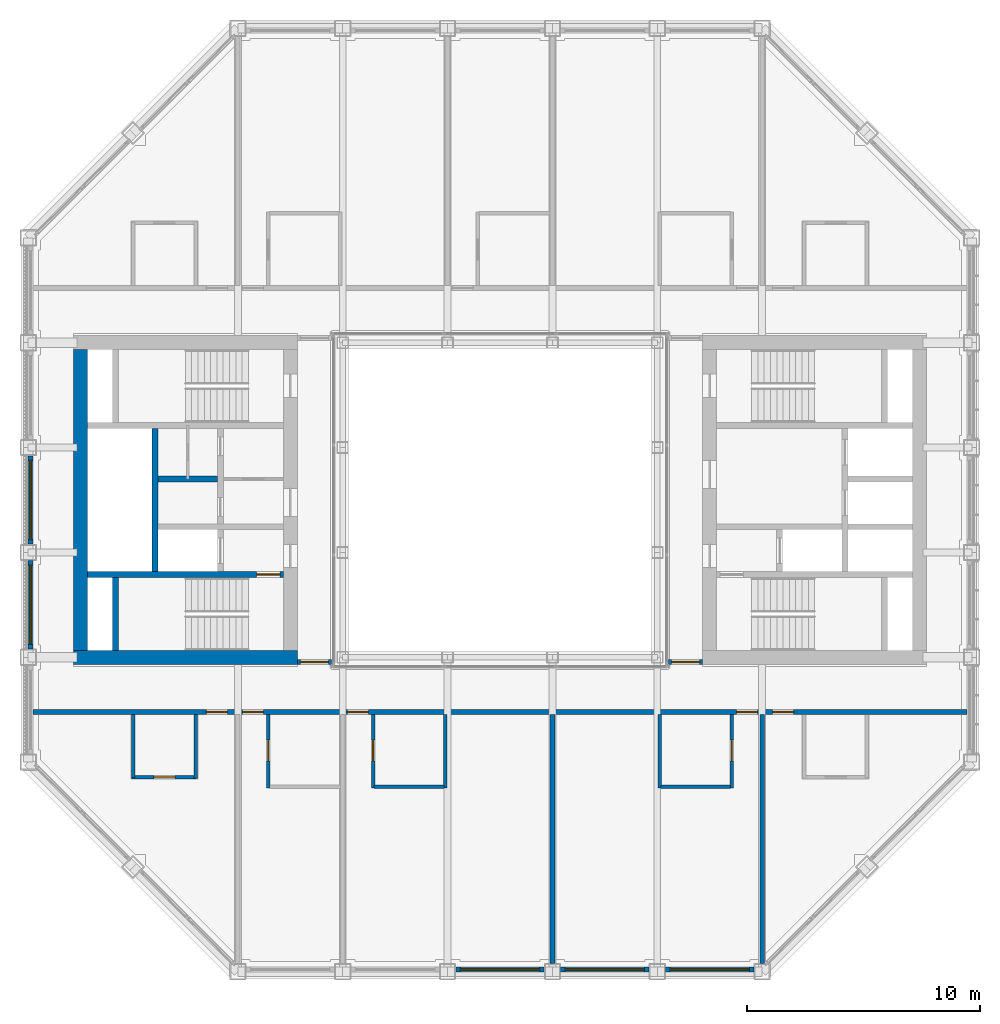
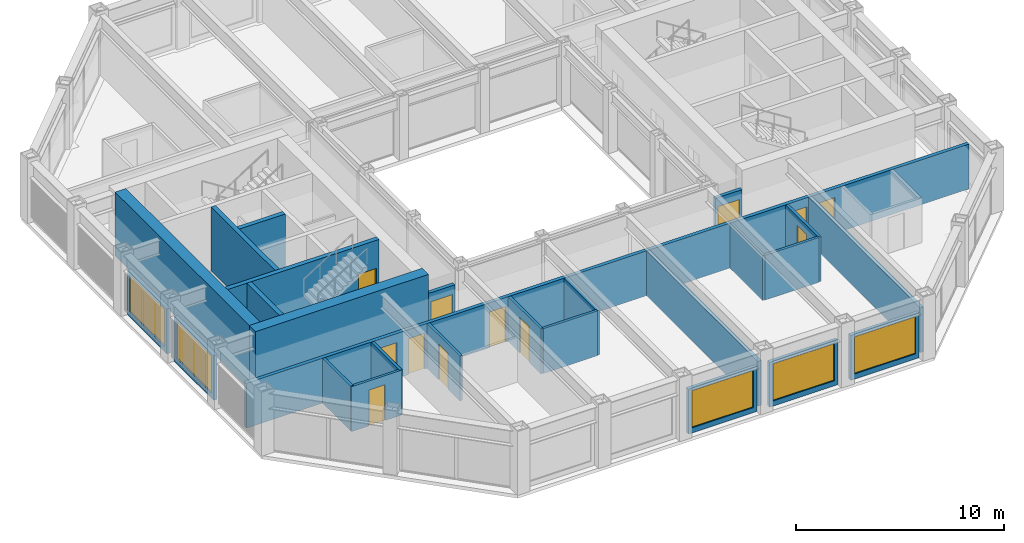
# One storey, part 9 of 16: 26 walls, 12 doors, 5 windows, 17 openings.
"""IFC4 building model written with IfcOpenShell, lengths in metres."""

from ifc_helpers import new_model, si_unit, direction, frame, frame_2d, origin, place, context, subcontext, project, spatial, rectangle, extrude, material, layer, layer_set, type_object, element, fill, save


model = new_model("IFC4")

# Units and contexts
model_context = context("Model", 3, precision=1e-05, world=origin(), true_north=direction((0.0, 1.0)))
body_context = subcontext(model_context, "Body", "Model", "MODEL_VIEW")
ifc_project = project(units=[si_unit("LENGTHUNIT", "METRE"), si_unit("AREAUNIT", "SQUARE_METRE"), si_unit("VOLUMEUNIT", "CUBIC_METRE"), si_unit("PLANEANGLEUNIT", "RADIAN"), si_unit("MASSUNIT", "GRAM", prefix="KILO")], contexts=[model_context])

# Site, building, storey
site_placement = place(None, origin())
site = spatial("IfcSite", under=ifc_project, at=site_placement, CompositionType="ELEMENT")
building_placement = place(site_placement, origin())
building = spatial("IfcBuilding", under=site, at=building_placement, Name="Msasa Ring Tower", CompositionType="ELEMENT")
storey_placement = place(building_placement, frame((0.0, 0.0, 212.050048828125)))
storey = spatial("IfcBuildingStorey", under=building, at=storey_placement, Name="L55", CompositionType="ELEMENT", Elevation=212.050048828125)

# Walls
ifc_material_1 = material(Name="Concrete C60/75", Category="concrete")
ifc_layer_1 = layer(ifc_material_1, 0.60009765625)
ifc_layer_set_1 = layer_set([ifc_layer_1], Name="CW3 CORE WALL 600")
wall_type_1 = type_object("IfcWallType", Name="CW3 CORE WALL 600", PredefinedType="SHEAR", material=ifc_layer_set_1)
wall_1_placement = place(storey_placement, frame((-8.699951171875, -6.75, 0.0), z_axis=(0.0, 0.0, 1.0), x_axis=(-1.0, 0.0, 0.0)))
element("IfcWall", 1, at=wall_1_placement, inside=storey, type_object=wall_type_1, Name="W core wall S L55", PredefinedType="SHEAR", context=body_context, shape_type="SweptSolid", body=[
    extrude(rectangle(XDim=9.60009765625, YDim=0.60009765625, at=frame_2d((4.800048828125, 0.0))), origin(), (0.0, 0.0, 1.0), 3.75),
])
wall_2_placement = place(storey_placement, frame((-18.0, -6.449951171875, 0.0), z_axis=(0.0, 0.0, 1.0), x_axis=(0.0, 1.0, 0.0)))
element("IfcWall", 2, at=wall_2_placement, inside=storey, type_object=wall_type_1, Name="W core wall E L55", PredefinedType="SHEAR", context=body_context, shape_type="SweptSolid", body=[
    extrude(rectangle(XDim=12.89990234375, YDim=0.60009765625, at=frame_2d((6.449951171875, 0.0))), origin(), (0.0, 0.0, 1.0), 3.75),
])

# Wall, opening, door
ifc_material_2 = material(Name="Concrete C60/75", Category="concrete")
ifc_layer_2 = layer(ifc_material_2, 0.25)
ifc_layer_set_2 = layer_set([ifc_layer_2], Name="CW4 CORE INNER WALL 250")
wall_type_2 = type_object("IfcWallType", Name="CW4 CORE INNER WALL 250", PredefinedType="SHEAR", material=ifc_layer_set_2)
wall_3_placement = place(storey_placement, frame((-9.300048828125, -3.199951171875, 0.0), z_axis=(0.0, 0.0, 1.0), x_axis=(-1.0, 0.0, 0.0)))
wall_3 = element("IfcWall", 3, at=wall_3_placement, inside=storey, type_object=wall_type_2, Name="W core wall STAIRA L55", PredefinedType="SHEAR", context=body_context, shape_type="SweptSolid", body=[
    extrude(rectangle(XDim=8.39990234375, YDim=0.25, at=frame_2d((4.199951171875, 0.0))), origin(), (0.0, 0.0, 1.0), 3.75),
])
opening_1_placement = place(wall_3_placement, frame((0.14990234375, 0.0, 0.0)))
opening_1 = element("IfcOpeningElement", 4, at=opening_1_placement, cuts=wall_3, Name="Opening SB-023", PredefinedType="OPENING", context=body_context, shape_type="SweptSolid", body=[
    extrude(rectangle(XDim=1.0, YDim=2.10009765625, at=frame_2d((0.5, 1.050048828125))), frame((0.0, 0.135009765625, 0.0), z_axis=(0.0, -1.0, 0.0), x_axis=(1.0, 0.0, 0.0)), (0.0, 0.0, 1.0), 0.27001953125),
])
ifc_material_3 = material(Name="Timber door leaf in a steel frame", Category="steel")
door_type_1 = type_object("IfcDoorType", Name="D6 STAIR DOOR 1000x2100", OperationType="SINGLE_SWING_LEFT", PredefinedType="DOOR", material=ifc_material_3)
door_1_placement = place(opening_1_placement, origin())
door_1 = element("IfcDoor", 5, at=door_1_placement, inside=storey, type_object=door_type_1, Name="Door L55-WSTA", OperationType="SINGLE_SWING_LEFT", OverallHeight=2.10009765625, OverallWidth=1.0, PredefinedType="DOOR", context=body_context, shape_type="SweptSolid", body=[
    extrude(rectangle(XDim=1.0, YDim=2.10009765625, at=frame_2d((0.5, 1.050048828125))), frame((0.0, 0.02490234375, 0.0), z_axis=(0.0, -1.0, 0.0), x_axis=(1.0, 0.0, 0.0)), (0.0, 0.0, 1.0), 0.050048828125),
])
fill(opening_1, door_1)

# Walls
wall_4_placement = place(storey_placement, frame((-16.5, -6.449951171875, 0.0), z_axis=(0.0, 0.0, 1.0), x_axis=(0.0, 1.0, 0.0)))
element("IfcWall", 6, at=wall_4_placement, inside=storey, type_object=wall_type_2, Name="W core wall RISERA L55", PredefinedType="SHEAR", context=body_context, shape_type="SweptSolid", body=[
    extrude(rectangle(XDim=3.125, YDim=0.25, at=frame_2d((1.5625, 0.0))), origin(), (0.0, 0.0, 1.0), 3.75),
])
wall_5_placement = place(storey_placement, frame((-14.800048828125, -3.074951171875, 0.0), z_axis=(0.0, 0.0, 1.0), x_axis=(0.0, 1.0, 0.0)))
element("IfcWall", 7, at=wall_5_placement, inside=storey, type_object=wall_type_2, Name="W core wall SHAFT L55", PredefinedType="SHEAR", context=body_context, shape_type="SweptSolid", body=[
    extrude(rectangle(XDim=6.14990234375, YDim=0.25, at=frame_2d((3.074951171875, 0.0))), origin(), (0.0, 0.0, 1.0), 3.75),
])
wall_6_placement = place(storey_placement, frame((-12.125, 0.89990234375, 0.0), z_axis=(0.0, 0.0, 1.0), x_axis=(-1.0, 0.0, 0.0)))
element("IfcWall", 8, at=wall_6_placement, inside=storey, type_object=wall_type_2, Name="W core wall LIFT1 L55", PredefinedType="SHEAR", context=body_context, shape_type="SweptSolid", body=[
    extrude(rectangle(XDim=2.550048828125, YDim=0.25, at=frame_2d((1.27490234375, 0.0))), origin(), (0.0, 0.0, 1.0), 3.75),
])

# Wall, opening, window
ifc_material_4 = material(Name="Terracotta rainscreen on blockwork", Category="masonry")
ifc_layer_3 = layer(ifc_material_4, 0.199951171875)
ifc_layer_set_3 = layer_set([ifc_layer_3], Name="FW1 TERRACOTTA-LINED INFILL BAY WALL 200")
wall_type_3 = type_object("IfcWallType", Name="FW1 TERRACOTTA-LINED INFILL BAY WALL 200", PredefinedType="SOLIDWALL", material=ifc_layer_set_3)
wall_7_placement = place(storey_placement, frame((-1.89501953125, -20.14990234375, 0.0), z_axis=(0.0, 0.0, 1.0), x_axis=(1.0, 0.0, 0.0)))
wall_7 = element("IfcWall", 9, at=wall_7_placement, inside=storey, type_object=wall_type_3, Name="Infill bay wall S L55 02", PredefinedType="SOLIDWALL", context=body_context, shape_type="SweptSolid", body=[
    extrude(rectangle(XDim=3.7900390625, YDim=0.199951171875, at=frame_2d((1.89501953125, 0.0))), origin(), (0.0, 0.0, 1.0), 2.62890625),
])
opening_2_placement = place(wall_7_placement, frame((0.195068359375, 0.0, 0.300048828125)))
opening_2 = element("IfcOpeningElement", 10, at=opening_2_placement, cuts=wall_7, Name="Opening WN3", PredefinedType="OPENING", context=body_context, shape_type="SweptSolid", body=[
    extrude(rectangle(XDim=3.39990234375, YDim=2.178955078125, at=frame_2d((1.699951171875, 1.08935546875))), frame((0.0, 0.10986328125, 0.0), z_axis=(0.0, -1.0, 0.0), x_axis=(1.0, 0.0, 0.0)), (0.0, 0.0, 1.0), 0.219970703125),
])
ifc_material_5 = material(Name="Aluminium frame with clear glass", Category="aluminium")
window_type = type_object("IfcWindowType", Name="WN3 SUITE WINDOW 3400x2179", PartitioningType="SINGLE_PANEL", PredefinedType="WINDOW", material=ifc_material_5)
window_1_placement = place(opening_2_placement, origin())
window_1 = element("IfcWindow", 11, at=window_1_placement, inside=storey, type_object=window_type, Name="Window S L55 02", OverallHeight=2.178955078125, OverallWidth=3.39990234375, PartitioningType="SINGLE_PANEL", PredefinedType="WINDOW", context=body_context, shape_type="SweptSolid", body=[
    extrude(rectangle(XDim=3.39990234375, YDim=2.178955078125, at=frame_2d((1.699951171875, 1.08935546875))), frame((0.0, 0.030029296875, 0.0), z_axis=(0.0, -1.0, 0.0), x_axis=(1.0, 0.0, 0.0)), (0.0, 0.0, 1.0), 0.06005859375),
])
fill(opening_2, window_1)

wall_8_placement = place(storey_placement, frame((2.60498046875, -20.14990234375, 0.0), z_axis=(0.0, 0.0, 1.0), x_axis=(1.0, 0.0, 0.0)))
wall_8 = element("IfcWall", 12, at=wall_8_placement, inside=storey, type_object=wall_type_3, Name="Infill bay wall S L55 03", PredefinedType="SOLIDWALL", context=body_context, shape_type="SweptSolid", body=[
    extrude(rectangle(XDim=3.7900390625, YDim=0.199951171875, at=frame_2d((1.89501953125, 0.0))), origin(), (0.0, 0.0, 1.0), 2.62890625),
])
opening_3_placement = place(wall_8_placement, frame((0.195068359375, 0.0, 0.300048828125)))
opening_3 = element("IfcOpeningElement", 13, at=opening_3_placement, cuts=wall_8, Name="Opening WN3", PredefinedType="OPENING", context=body_context, shape_type="SweptSolid", body=[
    extrude(rectangle(XDim=3.39990234375, YDim=2.178955078125, at=frame_2d((1.699951171875, 1.08935546875))), frame((0.0, 0.10986328125, 0.0), z_axis=(0.0, -1.0, 0.0), x_axis=(1.0, 0.0, 0.0)), (0.0, 0.0, 1.0), 0.219970703125),
])
window_2_placement = place(opening_3_placement, origin())
window_2 = element("IfcWindow", 14, at=window_2_placement, inside=storey, type_object=window_type, Name="Window S L55 03", OverallHeight=2.178955078125, OverallWidth=3.39990234375, PartitioningType="SINGLE_PANEL", PredefinedType="WINDOW", context=body_context, shape_type="SweptSolid", body=[
    extrude(rectangle(XDim=3.39990234375, YDim=2.178955078125, at=frame_2d((1.699951171875, 1.08935546875))), frame((0.0, 0.030029296875, 0.0), z_axis=(0.0, -1.0, 0.0), x_axis=(1.0, 0.0, 0.0)), (0.0, 0.0, 1.0), 0.06005859375),
])
fill(opening_3, window_2)

wall_9_placement = place(storey_placement, frame((7.10498046875, -20.14990234375, 0.0), z_axis=(0.0, 0.0, 1.0), x_axis=(1.0, 0.0, 0.0)))
wall_9 = element("IfcWall", 15, at=wall_9_placement, inside=storey, type_object=wall_type_3, Name="Infill bay wall S L55 04", PredefinedType="SOLIDWALL", context=body_context, shape_type="SweptSolid", body=[
    extrude(rectangle(XDim=3.7900390625, YDim=0.199951171875, at=frame_2d((1.89501953125, 0.0))), origin(), (0.0, 0.0, 1.0), 2.62890625),
])
opening_4_placement = place(wall_9_placement, frame((0.195068359375, 0.0, 0.300048828125)))
opening_4 = element("IfcOpeningElement", 16, at=opening_4_placement, cuts=wall_9, Name="Opening WN3", PredefinedType="OPENING", context=body_context, shape_type="SweptSolid", body=[
    extrude(rectangle(XDim=3.39990234375, YDim=2.178955078125, at=frame_2d((1.699951171875, 1.08935546875))), frame((0.0, 0.10986328125, 0.0), z_axis=(0.0, -1.0, 0.0), x_axis=(1.0, 0.0, 0.0)), (0.0, 0.0, 1.0), 0.219970703125),
])
window_3_placement = place(opening_4_placement, origin())
window_3 = element("IfcWindow", 17, at=window_3_placement, inside=storey, type_object=window_type, Name="Window S L55 04", OverallHeight=2.178955078125, OverallWidth=3.39990234375, PartitioningType="SINGLE_PANEL", PredefinedType="WINDOW", context=body_context, shape_type="SweptSolid", body=[
    extrude(rectangle(XDim=3.39990234375, YDim=2.178955078125, at=frame_2d((1.699951171875, 1.08935546875))), frame((0.0, 0.030029296875, 0.0), z_axis=(0.0, -1.0, 0.0), x_axis=(1.0, 0.0, 0.0)), (0.0, 0.0, 1.0), 0.06005859375),
])
fill(opening_4, window_3)

wall_10_placement = place(storey_placement, frame((-20.14990234375, -6.39501953125, 0.0), z_axis=(0.0, 0.0, 1.0), x_axis=(0.0, 1.0, 0.0)))
wall_10 = element("IfcWall", 18, at=wall_10_placement, inside=storey, type_object=wall_type_3, Name="Infill bay wall W L55 22", PredefinedType="SOLIDWALL", context=body_context, shape_type="SweptSolid", body=[
    extrude(rectangle(XDim=3.7900390625, YDim=0.199951171875, at=frame_2d((1.89501953125, 0.0))), origin(), (0.0, 0.0, 1.0), 2.62890625),
])
opening_5_placement = place(wall_10_placement, frame((0.195068359375, 0.0, 0.300048828125)))
opening_5 = element("IfcOpeningElement", 19, at=opening_5_placement, cuts=wall_10, Name="Opening WN3", PredefinedType="OPENING", context=body_context, shape_type="SweptSolid", body=[
    extrude(rectangle(XDim=3.39990234375, YDim=2.178955078125, at=frame_2d((1.699951171875, 1.08935546875))), frame((0.0, 0.10986328125, 0.0), z_axis=(0.0, -1.0, 0.0), x_axis=(1.0, 0.0, 0.0)), (0.0, 0.0, 1.0), 0.219970703125),
])
window_4_placement = place(opening_5_placement, origin())
window_4 = element("IfcWindow", 20, at=window_4_placement, inside=storey, type_object=window_type, Name="Window W L55 22", OverallHeight=2.178955078125, OverallWidth=3.39990234375, PartitioningType="SINGLE_PANEL", PredefinedType="WINDOW", context=body_context, shape_type="SweptSolid", body=[
    extrude(rectangle(XDim=3.39990234375, YDim=2.178955078125, at=frame_2d((1.699951171875, 1.08935546875))), frame((0.0, 0.030029296875, 0.0), z_axis=(0.0, -1.0, 0.0), x_axis=(1.0, 0.0, 0.0)), (0.0, 0.0, 1.0), 0.06005859375),
])
fill(opening_5, window_4)

wall_11_placement = place(storey_placement, frame((-20.14990234375, -1.89501953125, 0.0), z_axis=(0.0, 0.0, 1.0), x_axis=(0.0, 1.0, 0.0)))
wall_11 = element("IfcWall", 21, at=wall_11_placement, inside=storey, type_object=wall_type_3, Name="Infill bay wall W L55 23", PredefinedType="SOLIDWALL", context=body_context, shape_type="SweptSolid", body=[
    extrude(rectangle(XDim=3.7900390625, YDim=0.199951171875, at=frame_2d((1.89501953125, 0.0))), origin(), (0.0, 0.0, 1.0), 2.62890625),
])
opening_6_placement = place(wall_11_placement, frame((0.195068359375, 0.0, 0.300048828125)))
opening_6 = element("IfcOpeningElement", 22, at=opening_6_placement, cuts=wall_11, Name="Opening WN3", PredefinedType="OPENING", context=body_context, shape_type="SweptSolid", body=[
    extrude(rectangle(XDim=3.39990234375, YDim=2.178955078125, at=frame_2d((1.699951171875, 1.08935546875))), frame((0.0, 0.10986328125, 0.0), z_axis=(0.0, -1.0, 0.0), x_axis=(1.0, 0.0, 0.0)), (0.0, 0.0, 1.0), 0.219970703125),
])
window_5_placement = place(opening_6_placement, origin())
window_5 = element("IfcWindow", 23, at=window_5_placement, inside=storey, type_object=window_type, Name="Window W L55 23", OverallHeight=2.178955078125, OverallWidth=3.39990234375, PartitioningType="SINGLE_PANEL", PredefinedType="WINDOW", context=body_context, shape_type="SweptSolid", body=[
    extrude(rectangle(XDim=3.39990234375, YDim=2.178955078125, at=frame_2d((1.699951171875, 1.08935546875))), frame((0.0, 0.030029296875, 0.0), z_axis=(0.0, -1.0, 0.0), x_axis=(1.0, 0.0, 0.0)), (0.0, 0.0, 1.0), 0.06005859375),
])
fill(opening_6, window_5)

# Wall, opening, door
ifc_material_6 = material(Name="Concrete blockwork", Category="masonry")
ifc_layer_4 = layer(ifc_material_6, 0.199951171875)
ifc_layer_set_4 = layer_set([ifc_layer_4], Name="PT1 CORRIDOR WALL 200")
wall_type_4 = type_object("IfcWallType", Name="PT1 CORRIDOR WALL 200", PredefinedType="PARTITIONING", material=ifc_layer_set_4)
wall_12_placement = place(storey_placement, frame((7.22998046875, -6.949951171875, 0.0), z_axis=(0.0, 0.0, 1.0), x_axis=(1.0, 0.0, 0.0)))
wall_12 = element("IfcWall", 24, at=wall_12_placement, inside=storey, type_object=wall_type_4, Name="Corridor wall L55-SDES", PredefinedType="PARTITIONING", context=body_context, shape_type="SweptSolid", body=[
    extrude(rectangle(XDim=1.469970703125, YDim=0.199951171875, at=frame_2d((0.73486328125, 0.0))), origin(), (0.0, 0.0, 1.0), 2.62890625),
])
opening_7_placement = place(wall_12_placement, frame((0.135009765625, 0.0, 0.0)))
opening_7 = element("IfcOpeningElement", 25, at=opening_7_placement, cuts=wall_12, Name="Opening SB-026", PredefinedType="OPENING", context=body_context, shape_type="SweptSolid", body=[
    extrude(rectangle(XDim=1.199951171875, YDim=2.10009765625, at=frame_2d((0.60009765625, 1.050048828125))), frame((0.0, 0.10986328125, 0.0), z_axis=(0.0, -1.0, 0.0), x_axis=(1.0, 0.0, 0.0)), (0.0, 0.0, 1.0), 0.219970703125),
])
ifc_material_7 = material(Name="Timber door leaf in a steel frame", Category="steel")
door_type_2 = type_object("IfcDoorType", Name="D25 CORRIDOR PAIR OF SMOKE DOORS 1200x2100", OperationType="DOUBLE_DOOR_DOUBLE_SWING", PredefinedType="DOOR", material=ifc_material_7)
door_2_placement = place(opening_7_placement, origin())
door_2 = element("IfcDoor", 26, at=door_2_placement, inside=storey, type_object=door_type_2, Name="Door L55-SDES", OperationType="DOUBLE_DOOR_DOUBLE_SWING", OverallHeight=2.10009765625, OverallWidth=1.199951171875, PredefinedType="DOOR", context=body_context, shape_type="SweptSolid", body=[
    extrude(rectangle(XDim=1.199951171875, YDim=2.10009765625, at=frame_2d((0.60009765625, 1.050048828125))), frame((0.0, 0.02490234375, 0.0), z_axis=(0.0, -1.0, 0.0), x_axis=(1.0, 0.0, 0.0)), (0.0, 0.0, 1.0), 0.050048828125),
])
fill(opening_7, door_2)

wall_13_placement = place(storey_placement, frame((-8.699951171875, -6.949951171875, 0.0), z_axis=(0.0, 0.0, 1.0), x_axis=(1.0, 0.0, 0.0)))
wall_13 = element("IfcWall", 27, at=wall_13_placement, inside=storey, type_object=wall_type_4, Name="Corridor wall L55-SDWS", PredefinedType="PARTITIONING", context=body_context, shape_type="SweptSolid", body=[
    extrude(rectangle(XDim=1.469970703125, YDim=0.199951171875, at=frame_2d((0.73486328125, 0.0))), origin(), (0.0, 0.0, 1.0), 2.62890625),
])
opening_8_placement = place(wall_13_placement, frame((0.135009765625, 0.0, 0.0)))
opening_8 = element("IfcOpeningElement", 28, at=opening_8_placement, cuts=wall_13, Name="Opening SB-025", PredefinedType="OPENING", context=body_context, shape_type="SweptSolid", body=[
    extrude(rectangle(XDim=1.199951171875, YDim=2.10009765625, at=frame_2d((0.60009765625, 1.050048828125))), frame((0.0, 0.10986328125, 0.0), z_axis=(0.0, -1.0, 0.0), x_axis=(1.0, 0.0, 0.0)), (0.0, 0.0, 1.0), 0.219970703125),
])
door_3_placement = place(opening_8_placement, origin())
door_3 = element("IfcDoor", 29, at=door_3_placement, inside=storey, type_object=door_type_2, Name="Door L55-SDWS", OperationType="DOUBLE_DOOR_DOUBLE_SWING", OverallHeight=2.10009765625, OverallWidth=1.199951171875, PredefinedType="DOOR", context=body_context, shape_type="SweptSolid", body=[
    extrude(rectangle(XDim=1.199951171875, YDim=2.10009765625, at=frame_2d((0.60009765625, 1.050048828125))), frame((0.0, 0.02490234375, 0.0), z_axis=(0.0, -1.0, 0.0), x_axis=(1.0, 0.0, 0.0)), (0.0, 0.0, 1.0), 0.050048828125),
])
fill(opening_8, door_3)

# Wall, openings, doors
wall_14_placement = place(storey_placement, frame((-20.050048828125, -9.10009765625, 0.0), z_axis=(0.0, 0.0, 1.0), x_axis=(1.0, 0.0, 0.0)))
wall_14 = element("IfcWall", 30, at=wall_14_placement, inside=storey, type_object=wall_type_4, Name="Corridor wall L55-CORRS0", PredefinedType="PARTITIONING", context=body_context, shape_type="SweptSolid", body=[
    extrude(rectangle(XDim=40.10009765625, YDim=0.199951171875, at=frame_2d((20.050048828125, 0.0))), origin(), (0.0, 0.0, 1.0), 2.62890625),
])
opening_9_placement = place(wall_14_placement, frame((9.0, 0.0, 0.0)))
opening_9 = element("IfcOpeningElement", 31, at=opening_9_placement, cuts=wall_14, Name="Opening SB-028", PredefinedType="OPENING", context=body_context, shape_type="SweptSolid", body=[
    extrude(rectangle(XDim=0.89990234375, YDim=2.10009765625, at=frame_2d((0.449951171875, 1.050048828125))), frame((0.0, 0.10986328125, 0.0), z_axis=(0.0, -1.0, 0.0), x_axis=(1.0, 0.0, 0.0)), (0.0, 0.0, 1.0), 0.219970703125),
])
opening_10_placement = place(wall_14_placement, frame((13.5, 0.0, 0.0)))
opening_10 = element("IfcOpeningElement", 32, at=opening_10_placement, cuts=wall_14, Name="Opening SB-029", PredefinedType="OPENING", context=body_context, shape_type="SweptSolid", body=[
    extrude(rectangle(XDim=0.89990234375, YDim=2.10009765625, at=frame_2d((0.449951171875, 1.050048828125))), frame((0.0, 0.10986328125, 0.0), z_axis=(0.0, -1.0, 0.0), x_axis=(1.0, 0.0, 0.0)), (0.0, 0.0, 1.0), 0.219970703125),
])
opening_11_placement = place(wall_14_placement, frame((30.199951171875, 0.0, 0.0)))
opening_11 = element("IfcOpeningElement", 33, at=opening_11_placement, cuts=wall_14, Name="Opening SB-030", PredefinedType="OPENING", context=body_context, shape_type="SweptSolid", body=[
    extrude(rectangle(XDim=0.89990234375, YDim=2.10009765625, at=frame_2d((0.449951171875, 1.050048828125))), frame((0.0, 0.10986328125, 0.0), z_axis=(0.0, -1.0, 0.0), x_axis=(1.0, 0.0, 0.0)), (0.0, 0.0, 1.0), 0.219970703125),
])
opening_12_placement = place(wall_14_placement, frame((31.75, 0.0, 0.0)))
opening_12 = element("IfcOpeningElement", 34, at=opening_12_placement, cuts=wall_14, Name="Opening SB-031", PredefinedType="OPENING", context=body_context, shape_type="SweptSolid", body=[
    extrude(rectangle(XDim=0.89990234375, YDim=2.10009765625, at=frame_2d((0.449951171875, 1.050048828125))), frame((0.0, 0.10986328125, 0.0), z_axis=(0.0, -1.0, 0.0), x_axis=(1.0, 0.0, 0.0)), (0.0, 0.0, 1.0), 0.219970703125),
])
opening_13_placement = place(wall_14_placement, frame((7.449951171875, 0.0, 0.0)))
opening_13 = element("IfcOpeningElement", 35, at=opening_13_placement, cuts=wall_14, Name="Opening SB-027", PredefinedType="OPENING", context=body_context, shape_type="SweptSolid", body=[
    extrude(rectangle(XDim=0.89990234375, YDim=2.10009765625, at=frame_2d((0.449951171875, 1.050048828125))), frame((0.0, 0.10986328125, 0.0), z_axis=(0.0, -1.0, 0.0), x_axis=(1.0, 0.0, 0.0)), (0.0, 0.0, 1.0), 0.219970703125),
])
ifc_material_8 = material(Name="Timber door leaf in a steel frame", Category="steel")
door_type_3 = type_object("IfcDoorType", Name="D1 SINGLE DOOR TO CORRIDOR 900x2100", OperationType="SINGLE_SWING_LEFT", PredefinedType="DOOR", material=ifc_material_8)
door_4_placement = place(opening_9_placement, origin())
door_4 = element("IfcDoor", 36, at=door_4_placement, inside=storey, type_object=door_type_3, Name="Door L55-JS00", OperationType="SINGLE_SWING_LEFT", OverallHeight=2.10009765625, OverallWidth=0.89990234375, PredefinedType="DOOR", context=body_context, shape_type="SweptSolid", body=[
    extrude(rectangle(XDim=0.89990234375, YDim=2.10009765625, at=frame_2d((0.449951171875, 1.050048828125))), frame((0.0, 0.02490234375, 0.0), z_axis=(0.0, -1.0, 0.0), x_axis=(1.0, 0.0, 0.0)), (0.0, 0.0, 1.0), 0.050048828125),
])
fill(opening_9, door_4)
door_5_placement = place(opening_10_placement, origin())
door_5 = element("IfcDoor", 37, at=door_5_placement, inside=storey, type_object=door_type_3, Name="Door L55-JS01", OperationType="SINGLE_SWING_LEFT", OverallHeight=2.10009765625, OverallWidth=0.89990234375, PredefinedType="DOOR", context=body_context, shape_type="SweptSolid", body=[
    extrude(rectangle(XDim=0.89990234375, YDim=2.10009765625, at=frame_2d((0.449951171875, 1.050048828125))), frame((0.0, 0.02490234375, 0.0), z_axis=(0.0, -1.0, 0.0), x_axis=(1.0, 0.0, 0.0)), (0.0, 0.0, 1.0), 0.050048828125),
])
fill(opening_10, door_5)
door_6_placement = place(opening_11_placement, origin())
door_6 = element("IfcDoor", 38, at=door_6_placement, inside=storey, type_object=door_type_3, Name="Door L55-JS02", OperationType="SINGLE_SWING_RIGHT", OverallHeight=2.10009765625, OverallWidth=0.89990234375, PredefinedType="DOOR", context=body_context, shape_type="SweptSolid", body=[
    extrude(rectangle(XDim=0.89990234375, YDim=2.10009765625, at=frame_2d((0.449951171875, 1.050048828125))), frame((0.0, 0.02490234375, 0.0), z_axis=(0.0, -1.0, 0.0), x_axis=(1.0, 0.0, 0.0)), (0.0, 0.0, 1.0), 0.050048828125),
])
fill(opening_11, door_6)
ifc_material_9 = material(Name="Timber door leaf in a steel frame", Category="steel")
door_type_4 = type_object("IfcDoorType", Name="D2 ENTRANCE DOOR 900x2100", OperationType="SINGLE_SWING_LEFT", PredefinedType="DOOR", material=ifc_material_9)
door_7_placement = place(opening_12_placement, origin())
door_7 = element("IfcDoor", 39, at=door_7_placement, inside=storey, type_object=door_type_4, Name="Door L55-CSSE", OperationType="SINGLE_SWING_RIGHT", OverallHeight=2.10009765625, OverallWidth=0.89990234375, PredefinedType="DOOR", context=body_context, shape_type="SweptSolid", body=[
    extrude(rectangle(XDim=0.89990234375, YDim=2.10009765625, at=frame_2d((0.449951171875, 1.050048828125))), frame((0.0, 0.02490234375, 0.0), z_axis=(0.0, -1.0, 0.0), x_axis=(1.0, 0.0, 0.0)), (0.0, 0.0, 1.0), 0.050048828125),
])
fill(opening_12, door_7)
door_8_placement = place(opening_13_placement, origin())
door_8 = element("IfcDoor", 40, at=door_8_placement, inside=storey, type_object=door_type_4, Name="Door L55-CSSW", OperationType="SINGLE_SWING_LEFT", OverallHeight=2.10009765625, OverallWidth=0.89990234375, PredefinedType="DOOR", context=body_context, shape_type="SweptSolid", body=[
    extrude(rectangle(XDim=0.89990234375, YDim=2.10009765625, at=frame_2d((0.449951171875, 1.050048828125))), frame((0.0, 0.02490234375, 0.0), z_axis=(0.0, -1.0, 0.0), x_axis=(1.0, 0.0, 0.0)), (0.0, 0.0, 1.0), 0.050048828125),
])
fill(opening_13, door_8)

# Walls
ifc_material_10 = material(Name="Dense concrete blockwork, plastered both faces", Category="masonry")
ifc_layer_5 = layer(ifc_material_10, 0.25)
ifc_layer_set_5 = layer_set([ifc_layer_5], Name="PT3 APARTMENT SEPARATING WALL 250")
wall_type_5 = type_object("IfcWallType", Name="PT3 APARTMENT SEPARATING WALL 250", PredefinedType="PARTITIONING", material=ifc_layer_set_5)
for number, where, z_axis, x_axis, name in (
    (41, (2.25, -19.89990234375, 0.0), (0.0, 0.0, 1.0), (0.0, 1.0, 0.0), "Party wall L55-PWS+2.25"),
    (42, (11.25, -19.89990234375, 0.0), (0.0, 0.0, 1.0), (0.0, 1.0, 0.0), "Party wall L55-PWS+11.25"),
):
    element("IfcWall", number, at=place(storey_placement, frame(where, z_axis=z_axis, x_axis=x_axis)), inside=storey, type_object=wall_type_5, Name=name, PredefinedType="PARTITIONING", context=body_context, shape_type="SweptSolid", body=[
        extrude(rectangle(XDim=10.699951171875, YDim=0.199951171875, at=frame_2d((5.35009765625, 0.0))), origin(), (0.0, 0.0, 1.0), 2.62890625),
    ])

# Wall, opening, door
ifc_material_11 = material(Name="Moisture-resistant board on steel studs with a concealed cistern and pipe void, tiled", Category="steel")
ifc_layer_6 = layer(ifc_material_11, 0.14990234375)
ifc_layer_set_6 = layer_set([ifc_layer_6], Name="PT4 BATHROOM WET WALL 150")
wall_type_6 = type_object("IfcWallType", Name="PT4 BATHROOM WET WALL 150", PredefinedType="PARTITIONING", material=ifc_layer_set_6)
wall_15_placement = place(storey_placement, frame((-9.949951171875, -12.35009765625, 0.0), z_axis=(0.0, 0.0, 1.0), x_axis=(0.0, 1.0, 0.0)))
wall_15 = element("IfcWall", 43, at=wall_15_placement, inside=storey, type_object=wall_type_6, Name="Partition L55-JS00BX", PredefinedType="PARTITIONING", context=body_context, shape_type="SweptSolid", body=[
    extrude(rectangle(XDim=3.150146484375, YDim=0.14990234375, at=frame_2d((1.5751953125, 0.0))), origin(), (0.0, 0.0, 1.0), 2.62890625),
])
opening_14_placement = place(wall_15_placement, frame((1.14990234375, 0.0, 0.0)))
opening_14 = element("IfcOpeningElement", 44, at=opening_14_placement, cuts=wall_15, Name="Opening SB-032", PredefinedType="OPENING", context=body_context, shape_type="SweptSolid", body=[
    extrude(rectangle(XDim=0.89990234375, YDim=2.10009765625, at=frame_2d((0.449951171875, 1.050048828125))), frame((0.0, 0.0849609375, 0.0), z_axis=(0.0, -1.0, 0.0), x_axis=(1.0, 0.0, 0.0)), (0.0, 0.0, 1.0), 0.169921875),
])
ifc_material_12 = material(Name="Timber door leaf in a steel frame", Category="steel")
door_type_5 = type_object("IfcDoorType", Name="D3 BATHROOM DOOR 900x2100", OperationType="SINGLE_SWING_LEFT", PredefinedType="DOOR", material=ifc_material_12)
door_9_placement = place(opening_14_placement, origin())
door_9 = element("IfcDoor", 45, at=door_9_placement, inside=storey, type_object=door_type_5, Name="Door L55-JS00B", OperationType="SINGLE_SWING_LEFT", OverallHeight=2.10009765625, OverallWidth=0.89990234375, PredefinedType="DOOR", context=body_context, shape_type="SweptSolid", body=[
    extrude(rectangle(XDim=0.89990234375, YDim=2.10009765625, at=frame_2d((0.449951171875, 1.050048828125))), frame((0.0, 0.02490234375, 0.0), z_axis=(0.0, -1.0, 0.0), x_axis=(1.0, 0.0, 0.0)), (0.0, 0.0, 1.0), 0.050048828125),
])
fill(opening_14, door_9)

wall_16_placement = place(storey_placement, frame((-5.449951171875, -12.35009765625, 0.0), z_axis=(0.0, 0.0, 1.0), x_axis=(0.0, 1.0, 0.0)))
wall_16 = element("IfcWall", 46, at=wall_16_placement, inside=storey, type_object=wall_type_6, Name="Partition L55-JS01BX", PredefinedType="PARTITIONING", context=body_context, shape_type="SweptSolid", body=[
    extrude(rectangle(XDim=3.150146484375, YDim=0.14990234375, at=frame_2d((1.5751953125, 0.0))), origin(), (0.0, 0.0, 1.0), 2.62890625),
])
opening_15_placement = place(wall_16_placement, frame((1.14990234375, 0.0, 0.0)))
opening_15 = element("IfcOpeningElement", 47, at=opening_15_placement, cuts=wall_16, Name="Opening SB-033", PredefinedType="OPENING", context=body_context, shape_type="SweptSolid", body=[
    extrude(rectangle(XDim=0.89990234375, YDim=2.10009765625, at=frame_2d((0.449951171875, 1.050048828125))), frame((0.0, 0.0849609375, 0.0), z_axis=(0.0, -1.0, 0.0), x_axis=(1.0, 0.0, 0.0)), (0.0, 0.0, 1.0), 0.169921875),
])
door_10_placement = place(opening_15_placement, origin())
door_10 = element("IfcDoor", 48, at=door_10_placement, inside=storey, type_object=door_type_5, Name="Door L55-JS01B", OperationType="SINGLE_SWING_LEFT", OverallHeight=2.10009765625, OverallWidth=0.89990234375, PredefinedType="DOOR", context=body_context, shape_type="SweptSolid", body=[
    extrude(rectangle(XDim=0.89990234375, YDim=2.10009765625, at=frame_2d((0.449951171875, 1.050048828125))), frame((0.0, 0.02490234375, 0.0), z_axis=(0.0, -1.0, 0.0), x_axis=(1.0, 0.0, 0.0)), (0.0, 0.0, 1.0), 0.050048828125),
])
fill(opening_15, door_10)

# Walls
wall_17_placement = place(storey_placement, frame((-2.35009765625, -12.35009765625, 0.0), z_axis=(0.0, 0.0, 1.0), x_axis=(0.0, 1.0, 0.0)))
element("IfcWall", 49, at=wall_17_placement, inside=storey, type_object=wall_type_6, Name="Partition L55-JS01BF", PredefinedType="PARTITIONING", context=body_context, shape_type="SweptSolid", body=[
    extrude(rectangle(XDim=3.150146484375, YDim=0.14990234375, at=frame_2d((1.5751953125, 0.0))), origin(), (0.0, 0.0, 1.0), 2.62890625),
])
wall_18_placement = place(storey_placement, frame((-5.39990234375, -12.300048828125, 0.0), z_axis=(0.0, 0.0, 1.0), x_axis=(1.0, 0.0, 0.0)))
element("IfcWall", 50, at=wall_18_placement, inside=storey, type_object=wall_type_6, Name="Partition L55-JS01BY", PredefinedType="PARTITIONING", context=body_context, shape_type="SweptSolid", body=[
    extrude(rectangle(XDim=3.0, YDim=0.14990234375, at=frame_2d((1.5, 0.0))), origin(), (0.0, 0.0, 1.0), 2.62890625),
])

# Wall, opening, door
wall_19_placement = place(storey_placement, frame((9.949951171875, -12.35009765625, 0.0), z_axis=(0.0, 0.0, 1.0), x_axis=(0.0, 1.0, 0.0)))
wall_19 = element("IfcWall", 51, at=wall_19_placement, inside=storey, type_object=wall_type_6, Name="Partition L55-JS02BX", PredefinedType="PARTITIONING", context=body_context, shape_type="SweptSolid", body=[
    extrude(rectangle(XDim=3.150146484375, YDim=0.14990234375, at=frame_2d((1.5751953125, 0.0))), origin(), (0.0, 0.0, 1.0), 2.62890625),
])
opening_16_placement = place(wall_19_placement, frame((1.14990234375, 0.0, 0.0)))
opening_16 = element("IfcOpeningElement", 52, at=opening_16_placement, cuts=wall_19, Name="Opening SB-034", PredefinedType="OPENING", context=body_context, shape_type="SweptSolid", body=[
    extrude(rectangle(XDim=0.89990234375, YDim=2.10009765625, at=frame_2d((0.449951171875, 1.050048828125))), frame((0.0, 0.0849609375, 0.0), z_axis=(0.0, -1.0, 0.0), x_axis=(1.0, 0.0, 0.0)), (0.0, 0.0, 1.0), 0.169921875),
])
door_11_placement = place(opening_16_placement, origin())
door_11 = element("IfcDoor", 53, at=door_11_placement, inside=storey, type_object=door_type_5, Name="Door L55-JS02B", OperationType="SINGLE_SWING_LEFT", OverallHeight=2.10009765625, OverallWidth=0.89990234375, PredefinedType="DOOR", context=body_context, shape_type="SweptSolid", body=[
    extrude(rectangle(XDim=0.89990234375, YDim=2.10009765625, at=frame_2d((0.449951171875, 1.050048828125))), frame((0.0, 0.02490234375, 0.0), z_axis=(0.0, -1.0, 0.0), x_axis=(1.0, 0.0, 0.0)), (0.0, 0.0, 1.0), 0.050048828125),
])
fill(opening_16, door_11)

# Walls
wall_20_placement = place(storey_placement, frame((6.85009765625, -12.35009765625, 0.0), z_axis=(0.0, 0.0, 1.0), x_axis=(0.0, 1.0, 0.0)))
element("IfcWall", 54, at=wall_20_placement, inside=storey, type_object=wall_type_6, Name="Partition L55-JS02BF", PredefinedType="PARTITIONING", context=body_context, shape_type="SweptSolid", body=[
    extrude(rectangle(XDim=3.150146484375, YDim=0.14990234375, at=frame_2d((1.5751953125, 0.0))), origin(), (0.0, 0.0, 1.0), 2.62890625),
])
wall_21_placement = place(storey_placement, frame((6.89990234375, -12.300048828125, 0.0), z_axis=(0.0, 0.0, 1.0), x_axis=(1.0, 0.0, 0.0)))
element("IfcWall", 55, at=wall_21_placement, inside=storey, type_object=wall_type_6, Name="Partition L55-JS02BY", PredefinedType="PARTITIONING", context=body_context, shape_type="SweptSolid", body=[
    extrude(rectangle(XDim=3.0, YDim=0.14990234375, at=frame_2d((1.5, 0.0))), origin(), (0.0, 0.0, 1.0), 2.62890625),
])
wall_22_placement = place(storey_placement, frame((-13.050048828125, -11.949951171875, 0.0), z_axis=(0.0, 0.0, 1.0), x_axis=(0.0, 1.0, 0.0)))
element("IfcWall", 56, at=wall_22_placement, inside=storey, type_object=wall_type_6, Name="Partition L55-CSSWBX", PredefinedType="PARTITIONING", context=body_context, shape_type="SweptSolid", body=[
    extrude(rectangle(XDim=2.75, YDim=0.14990234375, at=frame_2d((1.375, 0.0))), origin(), (0.0, 0.0, 1.0), 2.62890625),
])

# Wall, opening, door
wall_23_placement = place(storey_placement, frame((-15.824951171875, -11.89990234375, 0.0), z_axis=(0.0, 0.0, 1.0), x_axis=(1.0, 0.0, 0.0)))
wall_23 = element("IfcWall", 57, at=wall_23_placement, inside=storey, type_object=wall_type_6, Name="Partition L55-CSSWBY", PredefinedType="PARTITIONING", context=body_context, shape_type="SweptSolid", body=[
    extrude(rectangle(XDim=2.77490234375, YDim=0.14990234375, at=frame_2d((1.387451171875, 0.0))), origin(), (0.0, 0.0, 1.0), 2.62890625),
])
opening_17_placement = place(wall_23_placement, frame((0.97509765625, 0.0, 0.0)))
opening_17 = element("IfcOpeningElement", 58, at=opening_17_placement, cuts=wall_23, Name="Opening SB-035", PredefinedType="OPENING", context=body_context, shape_type="SweptSolid", body=[
    extrude(rectangle(XDim=0.89990234375, YDim=2.10009765625, at=frame_2d((0.449951171875, 1.050048828125))), frame((0.0, 0.0849609375, 0.0), z_axis=(0.0, -1.0, 0.0), x_axis=(1.0, 0.0, 0.0)), (0.0, 0.0, 1.0), 0.169921875),
])
door_12_placement = place(opening_17_placement, origin())
door_12 = element("IfcDoor", 59, at=door_12_placement, inside=storey, type_object=door_type_5, Name="Door L55-CSSWB1", OperationType="SINGLE_SWING_RIGHT", OverallHeight=2.10009765625, OverallWidth=0.89990234375, PredefinedType="DOOR", context=body_context, shape_type="SweptSolid", body=[
    extrude(rectangle(XDim=0.89990234375, YDim=2.10009765625, at=frame_2d((0.449951171875, 1.050048828125))), frame((0.0, 0.02490234375, 0.0), z_axis=(0.0, -1.0, 0.0), x_axis=(1.0, 0.0, 0.0)), (0.0, 0.0, 1.0), 0.050048828125),
])
fill(opening_17, door_12)

# Wall
wall_24_placement = place(storey_placement, frame((-15.75, -11.89990234375, 0.0), z_axis=(0.0, 0.0, 1.0), x_axis=(0.0, 1.0, 0.0)))
element("IfcWall", 60, at=wall_24_placement, inside=storey, type_object=wall_type_6, Name="Partition L55-CSSWBE", PredefinedType="PARTITIONING", context=body_context, shape_type="SweptSolid", body=[
    extrude(rectangle(XDim=2.699951171875, YDim=0.14990234375, at=frame_2d((1.35009765625, 0.0))), origin(), (0.0, 0.0, 1.0), 2.62890625),
])

save(model, "model.ifc")
